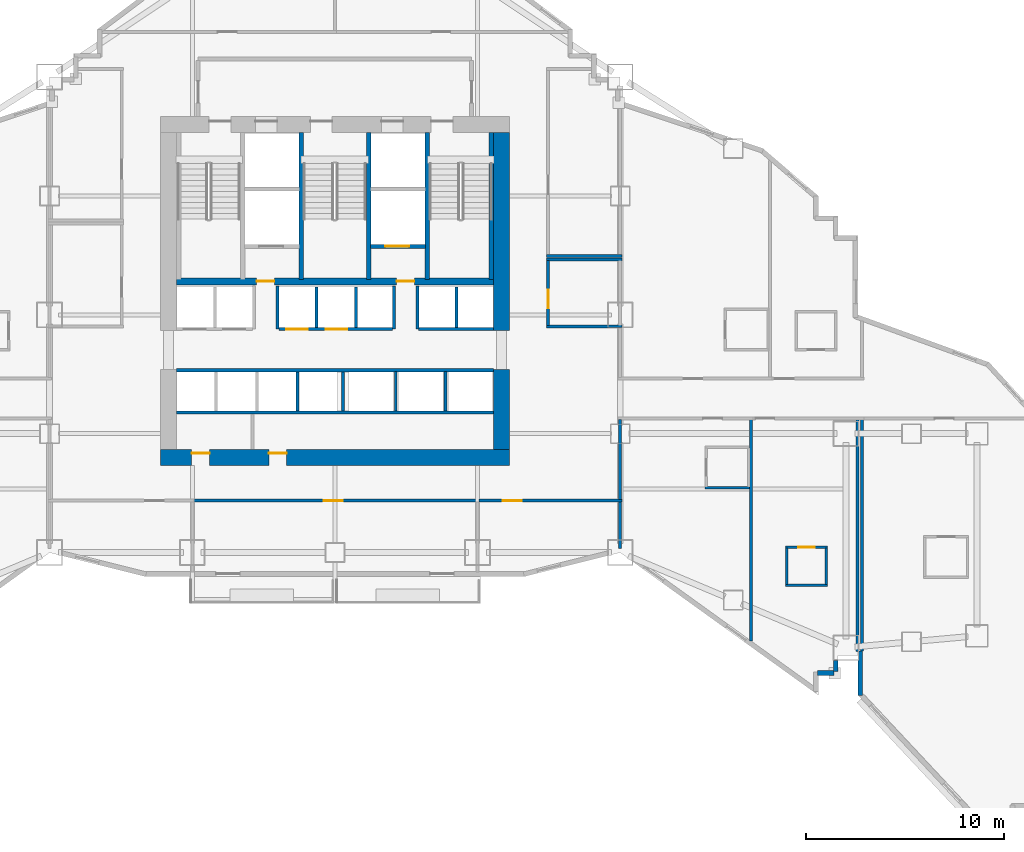
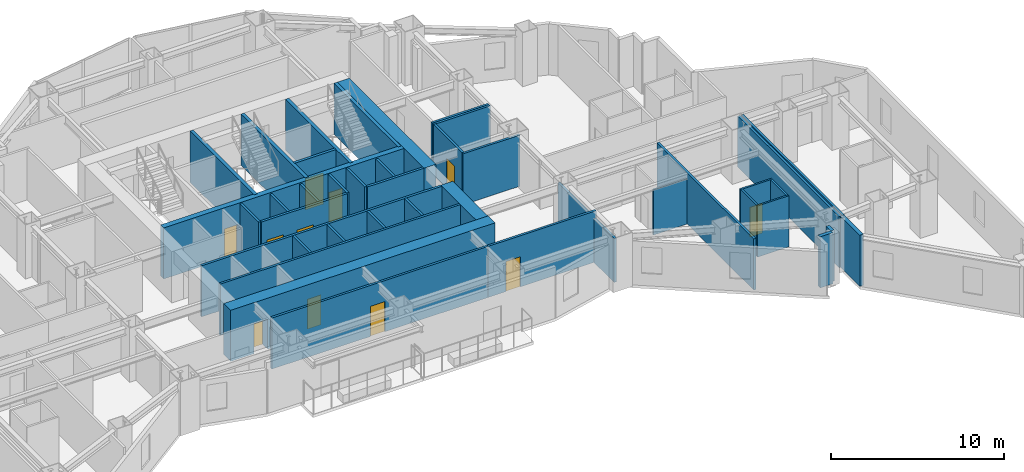
# One storey, part 9 of 17: 42 walls, 11 doors, 11 openings.
"""IFC4 building model written with IfcOpenShell, lengths in metres."""

from ifc_helpers import new_model, si_unit, direction, frame, frame_2d, origin, place, context, subcontext, project, spatial, rectangle, extrude, material, layer, layer_set, type_object, element, fill, save


model = new_model("IFC4")

# Units and contexts
model_context = context("Model", 3, precision=1e-05, world=origin(), true_north=direction((0.0, 1.0)))
body_context = subcontext(model_context, "Body", "Model", "MODEL_VIEW")
ifc_project = project(units=[si_unit("LENGTHUNIT", "METRE"), si_unit("AREAUNIT", "SQUARE_METRE"), si_unit("VOLUMEUNIT", "CUBIC_METRE"), si_unit("PLANEANGLEUNIT", "RADIAN"), si_unit("MASSUNIT", "GRAM", prefix="KILO")], contexts=[model_context])

# Site, building, storey
site_placement = place(None, origin())
site = spatial("IfcSite", under=ifc_project, at=site_placement, CompositionType="ELEMENT")
building_placement = place(site_placement, origin())
building = spatial("IfcBuilding", under=site, at=building_placement, Name="Haolan Belvedere Tower", CompositionType="ELEMENT")
storey_placement = place(building_placement, frame((0.0, 0.0, 27.800048828125)))
storey = spatial("IfcBuildingStorey", under=building, at=storey_placement, Name="L06", CompositionType="ELEMENT", Elevation=27.800048828125)

# Wall, openings, doors
ifc_material_1 = material(Name="Concrete C70/85", Category="concrete")
ifc_layer_1 = layer(ifc_material_1, 0.800048828125, Name="Concrete C70/85")
ifc_layer_set_1 = layer_set([ifc_layer_1], Name="Concrete C70/85")
wall_type_1 = type_object("IfcWallType", Name="WL-CORE-800", PredefinedType="SHEAR", material=ifc_layer_set_1)
wall_1_placement = place(storey_placement, frame((29.60009765625, 26.39990234375, 0.0), z_axis=(0.0, 0.0, 1.0), x_axis=(1.0, 0.0, 0.0)))
wall_1 = element("IfcWall", 1, at=wall_1_placement, inside=storey, type_object=wall_type_1, Name="L06 central core south shear wall", PredefinedType="SHEAR", context=body_context, shape_type="SweptSolid", body=[
    extrude(rectangle(XDim=17.599853515625, YDim=0.800048828125, at=frame_2d((8.7998046875, 0.0))), origin(), (0.0, 0.0, 1.0), 3.599853515625),
])
opening_1_placement = place(wall_1_placement, frame((2.469970703125, 0.0, 0.0), z_axis=(0.0, 0.0, 1.0), x_axis=(-1.0, 0.0, 0.0)))
opening_1 = element("IfcOpeningElement", 2, at=opening_1_placement, cuts=wall_1, Name="Opening FD-05", PredefinedType="OPENING", context=body_context, shape_type="SweptSolid", body=[
    extrude(rectangle(XDim=0.89990234375, YDim=2.10009765625, at=frame_2d((0.449951171875, 1.050048828125))), frame((0.0, 0.409912109375, 0.0), z_axis=(0.0, -1.0, 0.0), x_axis=(1.0, 0.0, 0.0)), (0.0, 0.0, 1.0), 0.820068359375),
])
opening_2_placement = place(wall_1_placement, frame((6.35986328125, 0.0, 0.0), z_axis=(0.0, 0.0, 1.0), x_axis=(-1.0, 0.0, 0.0)))
opening_2 = element("IfcOpeningElement", 3, at=opening_2_placement, cuts=wall_1, Name="Opening FD-05", PredefinedType="OPENING", context=body_context, shape_type="SweptSolid", body=[
    extrude(rectangle(XDim=0.89990234375, YDim=2.10009765625, at=frame_2d((0.449951171875, 1.050048828125))), frame((0.0, 0.409912109375, 0.0), z_axis=(0.0, -1.0, 0.0), x_axis=(1.0, 0.0, 0.0)), (0.0, 0.0, 1.0), 0.820068359375),
])
ifc_material_2 = material(Name="Galvanised fire-rated steel", Category="steel")
door_type_1 = type_object("IfcDoorType", Name="DR-FD60-900", OperationType="NOTDEFINED", PredefinedType="DOOR", material=ifc_material_2)
door_1_placement = place(opening_1_placement, origin())
door_1 = element("IfcDoor", 4, at=door_1_placement, inside=storey, type_object=door_type_1, Name="L06 door CD-L06-SCV-1", OperationType="SINGLE_SWING_LEFT", OverallHeight=2.10009765625, OverallWidth=0.89990234375, PredefinedType="DOOR", context=body_context, shape_type="SweptSolid", body=[
    extrude(rectangle(XDim=0.89990234375, YDim=2.10009765625, at=frame_2d((0.449951171875, 1.050048828125))), frame((0.0, -0.19482421875, 0.0), z_axis=(0.0, -1.0, 0.0), x_axis=(1.0, 0.0, 0.0)), (0.0, 0.0, 1.0), 0.050048828125),
])
fill(opening_1, door_1)
door_2_placement = place(opening_2_placement, origin())
door_2 = element("IfcDoor", 5, at=door_2_placement, inside=storey, type_object=door_type_1, Name="L06 door CD-L06-SCV-2", OperationType="SINGLE_SWING_RIGHT", OverallHeight=2.10009765625, OverallWidth=0.89990234375, PredefinedType="DOOR", context=body_context, shape_type="SweptSolid", body=[
    extrude(rectangle(XDim=0.89990234375, YDim=2.10009765625, at=frame_2d((0.449951171875, 1.050048828125))), frame((0.0, -0.19482421875, 0.0), z_axis=(0.0, -1.0, 0.0), x_axis=(1.0, 0.0, 0.0)), (0.0, 0.0, 1.0), 0.050048828125),
])
fill(opening_2, door_2)

# Walls
wall_2_placement = place(storey_placement, frame((46.800048828125, 26.800048828125, 0.0), z_axis=(0.0, 0.0, 1.0), x_axis=(0.0, 1.0, 0.0)))
element("IfcWall", 6, at=wall_2_placement, inside=storey, type_object=wall_type_1, Name="L06 central core shear wall ES", PredefinedType="SHEAR", context=body_context, shape_type="SweptSolid", body=[
    extrude(rectangle(XDim=4.050048828125, YDim=0.800048828125, at=frame_2d((2.02490234375, 0.0))), origin(), (0.0, 0.0, 1.0), 3.599853515625),
])
wall_3_placement = place(storey_placement, frame((46.800048828125, 32.800048828125, 0.0), z_axis=(0.0, 0.0, 1.0), x_axis=(0.0, 1.0, 0.0)))
element("IfcWall", 7, at=wall_3_placement, inside=storey, type_object=wall_type_1, Name="L06 central core shear wall EN", PredefinedType="SHEAR", context=body_context, shape_type="SweptSolid", body=[
    extrude(rectangle(XDim=10.0, YDim=0.800048828125, at=frame_2d((5.0, 0.0))), origin(), (0.0, 0.0, 1.0), 3.599853515625),
])
ifc_material_3 = material(Name="Precast concrete C40/50", Category="concrete")
ifc_layer_2 = layer(ifc_material_3, 0.239990234375, Name="Precast concrete C40/50")
ifc_layer_set_2 = layer_set([ifc_layer_2], Name="Precast concrete C40/50")
wall_type_2 = type_object("IfcWallType", Name="WL-EXT-240", PredefinedType="SOLIDWALL", material=ifc_layer_set_2)
wall_4_placement = place(storey_placement, frame((62.7451171875, 15.52001953125, 0.0), z_axis=(0.0, 0.0, 1.0), x_axis=(1.0, 0.0, 0.0)))
element("IfcWall", 8, at=wall_4_placement, inside=storey, type_object=wall_type_2, Name="L06 pale-metal exterior spandrel wall 17.1", PredefinedType="SOLIDWALL", context=body_context, shape_type="SweptSolid", body=[
    extrude(rectangle(XDim=0.849853515625, YDim=0.239990234375, at=frame_2d((0.4248046875, 0.0))), origin(), (0.0, 0.0, 1.0), 3.599853515625),
])
wall_5_placement = place(storey_placement, frame((63.679931640625, 15.60498046875, 0.0), z_axis=(0.0, 0.0, 1.0), x_axis=(0.0, 1.0, 0.0)))
element("IfcWall", 9, at=wall_5_placement, inside=storey, type_object=wall_type_2, Name="L06 pale-metal exterior spandrel wall 18.1", PredefinedType="SOLIDWALL", context=body_context, shape_type="SweptSolid", body=[
    extrude(rectangle(XDim=0.552978515625, YDim=0.239990234375, at=frame_2d((0.2763671875, 0.0))), origin(), (0.0, 0.0, 1.0), 3.599853515625),
])
wall_6_placement = place(storey_placement, frame((64.919921875, 16.639892578125, 0.0), z_axis=(0.0, 0.0, 1.0), x_axis=(0.0, -1.0, 0.0)))
element("IfcWall", 10, at=wall_6_placement, inside=storey, type_object=wall_type_2, Name="L06 pale-metal exterior spandrel wall 20.1", PredefinedType="SOLIDWALL", context=body_context, shape_type="SweptSolid", body=[
    extrude(rectangle(XDim=2.24755859375, YDim=0.239990234375, at=frame_2d((1.123779296875, 0.0))), origin(), (0.0, 0.0, 1.0), 3.599853515625),
])
ifc_material_4 = material(Name="Double gypsum acoustic stud partition", Category="masonry")
ifc_layer_3 = layer(ifc_material_4, 0.14990234375, Name="Double gypsum acoustic stud partition")
ifc_layer_set_3 = layer_set([ifc_layer_3], Name="Double gypsum acoustic stud partition")
wall_type_3 = type_object("IfcWallType", Name="WL-PART-150", PredefinedType="PARTITIONING", material=ifc_layer_set_3)
wall_7_placement = place(storey_placement, frame((30.39990234375, 28.659912109375, 0.0), z_axis=(0.0, 0.0, 1.0), x_axis=(1.0, 0.0, 0.0)))
element("IfcWall", 11, at=wall_7_placement, inside=storey, type_object=wall_type_3, Name="L06 interior partition IW-L06-SSTRIP-N", PredefinedType="PARTITIONING", context=body_context, shape_type="SweptSolid", body=[
    extrude(rectangle(XDim=16.0, YDim=0.14990234375, at=frame_2d((8.0, 0.0))), origin(), (0.0, 0.0, 1.0), 3.599853515625),
])
for number, where, z_axis, x_axis, name in (
    (12, (49.080078125, 36.39990234375, 0.0), (0.0, 0.0, 1.0), (1.0, 0.0, 0.0), "L06 interior partition IW-L06-AWC-N"),
    (13, (49.080078125, 33.0, 0.0), (0.0, 0.0, 1.0), (1.0, 0.0, 0.0), "L06 interior partition IW-L06-AWC-S"),
):
    element("IfcWall", number, at=place(storey_placement, frame(where, z_axis=z_axis, x_axis=x_axis)), inside=storey, type_object=wall_type_3, Name=name, PredefinedType="PARTITIONING", context=body_context, shape_type="SweptSolid", body=[
        extrude(rectangle(XDim=3.7998046875, YDim=0.14990234375, at=frame_2d((1.89990234375, 0.0))), origin(), (0.0, 0.0, 1.0), 3.599853515625),
    ])

# Wall, opening, door
wall_8_placement = place(storey_placement, frame((49.159912109375, 33.06005859375, 0.0), z_axis=(0.0, 0.0, 1.0), x_axis=(0.0, 1.0, 0.0)))
wall_8 = element("IfcWall", 14, at=wall_8_placement, inside=storey, type_object=wall_type_3, Name="L06 interior partition IW-L06-AWC-W", PredefinedType="PARTITIONING", context=body_context, shape_type="SweptSolid", body=[
    extrude(rectangle(XDim=3.280029296875, YDim=0.14990234375, at=frame_2d((1.64013671875, 0.0))), origin(), (0.0, 0.0, 1.0), 3.599853515625),
])
opening_3_placement = place(wall_8_placement, frame((0.860107421875, 0.0, 0.0)))
opening_3 = element("IfcOpeningElement", 15, at=opening_3_placement, cuts=wall_8, Name="Opening ID-03", PredefinedType="OPENING", context=body_context, shape_type="SweptSolid", body=[
    extrude(rectangle(XDim=0.949951171875, YDim=2.1201171875, at=frame_2d((0.47509765625, 1.06005859375))), frame((0.0, 0.0849609375, 0.0), z_axis=(0.0, -1.0, 0.0), x_axis=(1.0, 0.0, 0.0)), (0.0, 0.0, 1.0), 0.169921875),
])
ifc_material_5 = material(Name="Painted solid-core timber", Category="wood")
door_type_2 = type_object("IfcDoorType", Name="DR-INT-950", OperationType="NOTDEFINED", PredefinedType="DOOR", material=ifc_material_5)
door_3_placement = place(opening_3_placement, origin())
door_3 = element("IfcDoor", 16, at=door_3_placement, inside=storey, type_object=door_type_2, Name="L06 door ID-L06-AWC", OperationType="SINGLE_SWING_RIGHT", OverallHeight=2.1201171875, OverallWidth=0.949951171875, PredefinedType="DOOR", context=body_context, shape_type="SweptSolid", body=[
    extrude(rectangle(XDim=0.949951171875, YDim=2.1201171875, at=frame_2d((0.47509765625, 1.06005859375))), frame((0.0, 0.02490234375, 0.0), z_axis=(0.0, -1.0, 0.0), x_axis=(1.0, 0.0, 0.0)), (0.0, 0.0, 1.0), 0.050048828125),
])
fill(opening_3, door_3)

# Wall
wall_9_placement = place(storey_placement, frame((49.080078125, 36.56005859375, 0.0), z_axis=(0.0, 0.0, 1.0), x_axis=(1.0, 0.0, 0.0)))
element("IfcWall", 17, at=wall_9_placement, inside=storey, type_object=wall_type_3, Name="L06 interior partition IW-L06-SAL-S", PredefinedType="PARTITIONING", context=body_context, shape_type="SweptSolid", body=[
    extrude(rectangle(XDim=3.7998046875, YDim=0.14990234375, at=frame_2d((1.89990234375, 0.0))), origin(), (0.0, 0.0, 1.0), 3.599853515625),
])

# Wall, opening, door
wall_10_placement = place(storey_placement, frame((31.281982421875, 24.219970703125, 0.0), z_axis=(0.0, 0.0, 1.0), x_axis=(1.0, 0.0, 0.0)))
wall_10 = element("IfcWall", 18, at=wall_10_placement, inside=storey, type_object=wall_type_3, Name="L06 interior partition IW-L06-KS2-N", PredefinedType="PARTITIONING", context=body_context, shape_type="SweptSolid", body=[
    extrude(rectangle(XDim=14.39794921875, YDim=0.14990234375, at=frame_2d((7.198974609375, 0.0))), origin(), (0.0, 0.0, 1.0), 3.599853515625),
])
opening_4_placement = place(wall_10_placement, frame((7.512939453125, 0.0, 0.0), z_axis=(0.0, 0.0, 1.0), x_axis=(-1.0, 0.0, 0.0)))
opening_4 = element("IfcOpeningElement", 19, at=opening_4_placement, cuts=wall_10, Name="Opening ID-03", PredefinedType="OPENING", context=body_context, shape_type="SweptSolid", body=[
    extrude(rectangle(XDim=0.949951171875, YDim=2.1201171875, at=frame_2d((0.47509765625, 1.06005859375))), frame((0.0, 0.0849609375, 0.0), z_axis=(0.0, -1.0, 0.0), x_axis=(1.0, 0.0, 0.0)), (0.0, 0.0, 1.0), 0.169921875),
])
door_4_placement = place(opening_4_placement, origin())
door_4 = element("IfcDoor", 20, at=door_4_placement, inside=storey, type_object=door_type_2, Name="L06 door ID-L06-KS2", OperationType="SINGLE_SWING_LEFT", OverallHeight=2.1201171875, OverallWidth=0.949951171875, PredefinedType="DOOR", context=body_context, shape_type="SweptSolid", body=[
    extrude(rectangle(XDim=0.949951171875, YDim=2.1201171875, at=frame_2d((0.47509765625, 1.06005859375))), frame((0.0, 0.02490234375, 0.0), z_axis=(0.0, -1.0, 0.0), x_axis=(1.0, 0.0, 0.0)), (0.0, 0.0, 1.0), 0.050048828125),
])
fill(opening_4, door_4)

wall_11_placement = place(storey_placement, frame((45.681884765625, 24.219970703125, 0.0), z_axis=(0.0, 0.0, 1.0), x_axis=(1.0, 0.0, 0.0)))
wall_11 = element("IfcWall", 21, at=wall_11_placement, inside=storey, type_object=wall_type_3, Name="L06 interior partition IW-L06-KS3-N", PredefinedType="PARTITIONING", context=body_context, shape_type="SweptSolid", body=[
    extrude(rectangle(XDim=7.197998046875, YDim=0.14990234375, at=frame_2d((3.59912109375, 0.0))), origin(), (0.0, 0.0, 1.0), 3.599853515625),
])
opening_5_placement = place(wall_11_placement, frame((2.14306640625, 0.0, 0.0), z_axis=(0.0, 0.0, 1.0), x_axis=(-1.0, 0.0, 0.0)))
opening_5 = element("IfcOpeningElement", 22, at=opening_5_placement, cuts=wall_11, Name="Opening ID-03", PredefinedType="OPENING", context=body_context, shape_type="SweptSolid", body=[
    extrude(rectangle(XDim=0.949951171875, YDim=2.1201171875, at=frame_2d((0.47509765625, 1.06005859375))), frame((0.0, 0.0849609375, 0.0), z_axis=(0.0, -1.0, 0.0), x_axis=(1.0, 0.0, 0.0)), (0.0, 0.0, 1.0), 0.169921875),
])
door_5_placement = place(opening_5_placement, origin())
door_5 = element("IfcDoor", 23, at=door_5_placement, inside=storey, type_object=door_type_2, Name="L06 door ID-L06-KS3", OperationType="SINGLE_SWING_RIGHT", OverallHeight=2.1201171875, OverallWidth=0.949951171875, PredefinedType="DOOR", context=body_context, shape_type="SweptSolid", body=[
    extrude(rectangle(XDim=0.949951171875, YDim=2.1201171875, at=frame_2d((0.47509765625, 1.06005859375))), frame((0.0, 0.02490234375, 0.0), z_axis=(0.0, -1.0, 0.0), x_axis=(1.0, 0.0, 0.0)), (0.0, 0.0, 1.0), 0.050048828125),
])
fill(opening_5, door_5)

# Walls
wall_12_placement = place(storey_placement, frame((52.800048828125, 21.818603515625, 0.0), z_axis=(0.0, 0.0, 1.0), x_axis=(0.0, 1.0, 0.0)))
element("IfcWall", 24, at=wall_12_placement, inside=storey, type_object=wall_type_3, Name="L06 interior partition IW-L06-KS3-E", PredefinedType="PARTITIONING", context=body_context, shape_type="SweptSolid", body=[
    extrude(rectangle(XDim=2.34130859375, YDim=0.14990234375, at=frame_2d((1.170654296875, 0.0))), origin(), (0.0, 0.0, 1.0), 3.096923828125),
])
wall_13_placement = place(storey_placement, frame((52.800048828125, 24.280029296875, 0.0), z_axis=(0.0, 0.0, 1.0), x_axis=(0.0, 1.0, 0.0)))
element("IfcWall", 25, at=wall_13_placement, inside=storey, type_object=wall_type_3, Name="L06 interior partition IW-L06-T4S1-W", PredefinedType="PARTITIONING", context=body_context, shape_type="SweptSolid", body=[
    extrude(rectangle(XDim=4.030029296875, YDim=0.14990234375, at=frame_2d((2.01513671875, 0.0))), origin(), (0.0, 0.0, 1.0), 3.096923828125),
])
wall_14_placement = place(storey_placement, frame((59.389892578125, 17.132568359375, 0.0), z_axis=(0.0, 0.0, 1.0), x_axis=(0.0, 1.0, 0.0)))
element("IfcWall", 26, at=wall_14_placement, inside=storey, type_object=wall_type_3, Name="L06 interior partition IW-L06-T4S1-E", PredefinedType="PARTITIONING", context=body_context, shape_type="SweptSolid", body=[
    extrude(rectangle(XDim=11.177490234375, YDim=0.14990234375, at=frame_2d((5.5888671875, 0.0))), origin(), (0.0, 0.0, 1.0), 3.599853515625),
])
wall_15_placement = place(storey_placement, frame((65.0, 16.64208984375, 0.0), z_axis=(0.0, 0.0, 1.0), x_axis=(0.0, 1.0, 0.0)))
element("IfcWall", 27, at=wall_15_placement, inside=storey, type_object=wall_type_3, Name="L06 interior partition IW-L06-T4S2-E", PredefinedType="PARTITIONING", context=body_context, shape_type="SweptSolid", body=[
    extrude(rectangle(XDim=11.66796875, YDim=0.14990234375, at=frame_2d((5.833984375, 0.0))), origin(), (0.0, 0.0, 1.0), 3.599853515625),
])
wall_16_placement = place(storey_placement, frame((64.780029296875, 16.612060546875, 0.0), z_axis=(0.0, 0.0, 1.0), x_axis=(0.0, 1.0, 0.0)))
element("IfcWall", 28, at=wall_16_placement, inside=storey, type_object=wall_type_3, Name="L06 interior partition IW-L06-T5S1-W", PredefinedType="PARTITIONING", context=body_context, shape_type="SweptSolid", body=[
    extrude(rectangle(XDim=11.697998046875, YDim=0.14990234375, at=frame_2d((5.84912109375, 0.0))), origin(), (0.0, 0.0, 1.0), 3.599853515625),
])
ifc_material_6 = material(Name="Gypsum fire shaftwall assembly", Category="masonry")
ifc_layer_4 = layer(ifc_material_6, 0.1650390625, Name="Gypsum fire shaftwall assembly")
ifc_layer_set_4 = layer_set([ifc_layer_4], Name="Gypsum fire shaftwall assembly")
wall_type_4 = type_object("IfcWallType", Name="WL-SHAFT-160", PredefinedType="SOLIDWALL", material=ifc_layer_set_4)
for number, where, z_axis, x_axis, name in (
    (29, (35.510009765625, 32.8798828125, 0.0), (0.0, 0.0, 1.0), (0.0, 1.0, 0.0), "L06 interior partition IW-L06-SVP-E-SV1"),
    (30, (41.3701171875, 32.8798828125, 0.0), (0.0, 0.0, 1.0), (0.0, 1.0, 0.0), "L06 interior partition IW-L06-SVP-W-SV2"),
    (31, (42.570068359375, 32.8798828125, 0.0), (0.0, 0.0, 1.0), (0.0, 1.0, 0.0), "L06 interior partition IW-L06-SVP-E-SV2"),
):
    element("IfcWall", number, at=place(storey_placement, frame(where, z_axis=z_axis, x_axis=x_axis)), inside=storey, type_object=wall_type_4, Name=name, PredefinedType="SOLIDWALL", context=body_context, shape_type="SweptSolid", body=[
        extrude(rectangle(XDim=2.170166015625, YDim=0.14990234375, at=frame_2d((1.0849609375, 0.0))), origin(), (0.0, 0.0, 1.0), 3.599853515625),
    ])

# Wall, openings, doors
wall_17_placement = place(storey_placement, frame((35.570068359375, 32.8798828125, 0.0), z_axis=(0.0, 0.0, 1.0), x_axis=(1.0, 0.0, 0.0)))
wall_17 = element("IfcWall", 32, at=wall_17_placement, inside=storey, type_object=wall_type_4, Name="L06 interior partition IW-L06-ROW-PN2", PredefinedType="SOLIDWALL", context=body_context, shape_type="SweptSolid", body=[
    extrude(rectangle(XDim=5.739990234375, YDim=0.159912109375, at=frame_2d((2.8701171875, 0.0))), origin(), (0.0, 0.0, 1.0), 3.599853515625),
])
opening_6_placement = place(wall_17_placement, frame((1.47021484375, 0.0, 0.0), z_axis=(0.0, 0.0, 1.0), x_axis=(-1.0, 0.0, 0.0)))
opening_6 = element("IfcOpeningElement", 33, at=opening_6_placement, cuts=wall_17, Name="Opening LD-01", PredefinedType="OPENING", context=body_context, shape_type="SweptSolid", body=[
    extrude(rectangle(XDim=1.10009765625, YDim=2.199951171875, at=frame_2d((0.550048828125, 1.10009765625))), frame((0.0, 0.08984375, 0.0), z_axis=(0.0, -1.0, 0.0), x_axis=(1.0, 0.0, 0.0)), (0.0, 0.0, 1.0), 0.179931640625),
])
opening_7_placement = place(wall_17_placement, frame((3.460205078125, 0.0, 0.0), z_axis=(0.0, 0.0, 1.0), x_axis=(-1.0, 0.0, 0.0)))
opening_7 = element("IfcOpeningElement", 34, at=opening_7_placement, cuts=wall_17, Name="Opening LD-01", PredefinedType="OPENING", context=body_context, shape_type="SweptSolid", body=[
    extrude(rectangle(XDim=1.10009765625, YDim=2.199951171875, at=frame_2d((0.550048828125, 1.10009765625))), frame((0.0, 0.08984375, 0.0), z_axis=(0.0, -1.0, 0.0), x_axis=(1.0, 0.0, 0.0)), (0.0, 0.0, 1.0), 0.179931640625),
])
ifc_material_7 = material(Name="Brushed champagne stainless steel 316L", Category="steel")
door_type_3 = type_object("IfcDoorType", Name="DR-LIFT-1100", OperationType="SLIDING_TO_LEFT", PredefinedType="DOOR", material=ifc_material_7)
door_6_placement = place(opening_6_placement, origin())
door_6 = element("IfcDoor", 35, at=door_6_placement, inside=storey, type_object=door_type_3, Name="L06 door ID-L06-LD-PL3", OperationType="SLIDING_TO_LEFT", OverallHeight=2.199951171875, OverallWidth=1.10009765625, PredefinedType="DOOR", context=body_context, shape_type="SweptSolid", body=[
    extrude(rectangle(XDim=1.10009765625, YDim=2.199951171875, at=frame_2d((0.550048828125, 1.10009765625))), frame((0.0, 0.02490234375, 0.0), z_axis=(0.0, -1.0, 0.0), x_axis=(1.0, 0.0, 0.0)), (0.0, 0.0, 1.0), 0.050048828125),
])
fill(opening_6, door_6)
door_7_placement = place(opening_7_placement, origin())
door_7 = element("IfcDoor", 36, at=door_7_placement, inside=storey, type_object=door_type_3, Name="L06 door ID-L06-LD-PL4", OperationType="SLIDING_TO_LEFT", OverallHeight=2.199951171875, OverallWidth=1.10009765625, PredefinedType="DOOR", context=body_context, shape_type="SweptSolid", body=[
    extrude(rectangle(XDim=1.10009765625, YDim=2.199951171875, at=frame_2d((0.550048828125, 1.10009765625))), frame((0.0, 0.02490234375, 0.0), z_axis=(0.0, -1.0, 0.0), x_axis=(1.0, 0.0, 0.0)), (0.0, 0.0, 1.0), 0.050048828125),
])
fill(opening_7, door_7)

# Walls
wall_18_placement = place(storey_placement, frame((42.6298828125, 32.8798828125, 0.0), z_axis=(0.0, 0.0, 1.0), x_axis=(1.0, 0.0, 0.0)))
element("IfcWall", 37, at=wall_18_placement, inside=storey, type_object=wall_type_4, Name="L06 interior partition IW-L06-ROW-PN3", PredefinedType="SOLIDWALL", context=body_context, shape_type="SweptSolid", body=[
    extrude(rectangle(XDim=3.77001953125, YDim=0.159912109375, at=frame_2d((1.885009765625, 0.0))), origin(), (0.0, 0.0, 1.0), 3.599853515625),
])
for number, where, z_axis, x_axis, name in (
    (38, (37.47998046875, 32.949951171875, 0.0), (0.0, 0.0, 1.0), (0.0, 1.0, 0.0), "L06 interior partition IW-L06-DIV-PL3"),
    (39, (39.469970703125, 32.949951171875, 0.0), (0.0, 0.0, 1.0), (0.0, 1.0, 0.0), "L06 interior partition IW-L06-DIV-PL4"),
    (40, (44.530029296875, 32.949951171875, 0.0), (0.0, 0.0, 1.0), (0.0, 1.0, 0.0), "L06 interior partition IW-L06-DIV-PH2"),
):
    element("IfcWall", number, at=place(storey_placement, frame(where, z_axis=z_axis, x_axis=x_axis)), inside=storey, type_object=wall_type_4, Name=name, PredefinedType="SOLIDWALL", context=body_context, shape_type="SweptSolid", body=[
        extrude(rectangle(XDim=2.050048828125, YDim=0.14990234375, at=frame_2d((1.02490234375, 0.0))), origin(), (0.0, 0.0, 1.0), 3.599853515625),
    ])
wall_19_placement = place(storey_placement, frame((30.39990234375, 30.800048828125, 0.0), z_axis=(0.0, 0.0, 1.0), x_axis=(1.0, 0.0, 0.0)))
element("IfcWall", 41, at=wall_19_placement, inside=storey, type_object=wall_type_4, Name="L06 interior partition IW-L06-ROW-PS", PredefinedType="SOLIDWALL", context=body_context, shape_type="SweptSolid", body=[
    extrude(rectangle(XDim=16.0, YDim=0.159912109375, at=frame_2d((8.0, 0.0))), origin(), (0.0, 0.0, 1.0), 3.599853515625),
])
for number, where, z_axis, x_axis, name in (
    (42, (36.52001953125, 28.735107421875, 0.0), (0.0, 0.0, 1.0), (0.0, 1.0, 0.0), "L06 interior partition IW-L06-DIV-PM3"),
    (43, (38.800048828125, 28.735107421875, 0.0), (0.0, 0.0, 1.0), (0.0, 1.0, 0.0), "L06 interior partition IW-L06-DIV-PM4"),
):
    element("IfcWall", number, at=place(storey_placement, frame(where, z_axis=z_axis, x_axis=x_axis)), inside=storey, type_object=wall_type_4, Name=name, PredefinedType="SOLIDWALL", context=body_context, shape_type="SweptSolid", body=[
        extrude(rectangle(XDim=1.98486328125, YDim=0.14990234375, at=frame_2d((0.992431640625, 0.0))), origin(), (0.0, 0.0, 1.0), 3.599853515625),
    ])
for number, where, z_axis, x_axis, name in (
    (44, (41.469970703125, 28.75, 0.0), (0.0, 0.0, 1.0), (0.0, 1.0, 0.0), "L06 interior partition IW-L06-DIV-OB1"),
    (45, (43.97998046875, 28.75, 0.0), (0.0, 0.0, 1.0), (0.0, 1.0, 0.0), "L06 interior partition IW-L06-DIV-OB2"),
):
    element("IfcWall", number, at=place(storey_placement, frame(where, z_axis=z_axis, x_axis=x_axis)), inside=storey, type_object=wall_type_4, Name=name, PredefinedType="SOLIDWALL", context=body_context, shape_type="SweptSolid", body=[
        extrude(rectangle(XDim=1.985107421875, YDim=0.14990234375, at=frame_2d((0.99267578125, 0.0))), origin(), (0.0, 0.0, 1.0), 3.599853515625),
    ])

# Wall, opening, door
ifc_layer_5 = layer(ifc_material_3, 0.179931640625, Name="Precast concrete C40/50")
ifc_layer_set_5 = layer_set([ifc_layer_5], Name="Precast concrete C40/50")
wall_type_5 = type_object("IfcWallType", Name="WL-SHAFT-180", PredefinedType="SOLIDWALL", material=ifc_layer_set_5)
wall_20_placement = place(storey_placement, frame((40.195068359375, 37.050048828125, 0.0), z_axis=(0.0, 0.0, 1.0), x_axis=(1.0, 0.0, 0.0)))
wall_20 = element("IfcWall", 46, at=wall_20_placement, inside=storey, type_object=wall_type_5, Name="L06 interior partition IW-L06-SV2-S", PredefinedType="SOLIDWALL", context=body_context, shape_type="SweptSolid", body=[
    extrude(rectangle(XDim=2.77001953125, YDim=0.179931640625, at=frame_2d((1.385009765625, 0.0))), origin(), (0.0, 0.0, 1.0), 3.599853515625),
])
opening_8_placement = place(wall_20_placement, frame((1.945068359375, 0.0, 0.0), z_axis=(0.0, 0.0, 1.0), x_axis=(-1.0, 0.0, 0.0)))
opening_8 = element("IfcOpeningElement", 47, at=opening_8_placement, cuts=wall_20, Name="Opening LD-02", PredefinedType="OPENING", context=body_context, shape_type="SweptSolid", body=[
    extrude(rectangle(XDim=1.199951171875, YDim=2.199951171875, at=frame_2d((0.60009765625, 1.10009765625))), frame((0.0, 0.099853515625, 0.0), z_axis=(0.0, -1.0, 0.0), x_axis=(1.0, 0.0, 0.0)), (0.0, 0.0, 1.0), 0.199951171875),
])
door_type_4 = type_object("IfcDoorType", Name="DR-LIFT-1200", OperationType="SLIDING_TO_RIGHT", PredefinedType="DOOR", material=ifc_material_7)
door_8_placement = place(opening_8_placement, origin())
door_8 = element("IfcDoor", 48, at=door_8_placement, inside=storey, type_object=door_type_4, Name="L06 door ID-L06-LD-SV2", OperationType="SLIDING_TO_RIGHT", OverallHeight=2.199951171875, OverallWidth=1.199951171875, PredefinedType="DOOR", context=body_context, shape_type="SweptSolid", body=[
    extrude(rectangle(XDim=1.199951171875, YDim=2.199951171875, at=frame_2d((0.60009765625, 1.10009765625))), frame((0.0, 0.02490234375, 0.0), z_axis=(0.0, -1.0, 0.0), x_axis=(1.0, 0.0, 0.0)), (0.0, 0.0, 1.0), 0.050048828125),
])
fill(opening_8, door_8)

# Walls
ifc_material_8 = material(Name="Concrete C50/60", Category="concrete")
ifc_layer_6 = layer(ifc_material_8, 0.219970703125, Name="Concrete C50/60")
ifc_layer_set_6 = layer_set([ifc_layer_6], Name="Concrete C50/60")
wall_type_6 = type_object("IfcWallType", Name="WL-STAIR-220", PredefinedType="SHEAR", material=ifc_layer_set_6)
for number, where, z_axis, x_axis, name in (
    (49, (36.699951171875, 35.389892578125, 0.0), (0.0, 0.0, 1.0), (0.0, 1.0, 0.0), "L06 structural stair core wall ST3W"),
    (50, (40.10009765625, 35.389892578125, 0.0), (0.0, 0.0, 1.0), (0.0, 1.0, 0.0), "L06 structural stair core wall ST3E"),
    (51, (43.06005859375, 35.389892578125, 0.0), (0.0, 0.0, 1.0), (0.0, 1.0, 0.0), "L06 structural stair core wall ST2W"),
    (52, (46.2880859375, 35.389892578125, 0.0), (0.0, 0.0, 1.0), (0.0, 1.0, 0.0), "L06 structural stair core wall ST2E"),
):
    element("IfcWall", number, at=place(storey_placement, frame(where, z_axis=z_axis, x_axis=x_axis)), inside=storey, type_object=wall_type_6, Name=name, PredefinedType="SHEAR", context=body_context, shape_type="SweptSolid", body=[
        extrude(rectangle(XDim=7.41015625, YDim=0.219970703125, at=frame_2d((3.705078125, 0.0))), origin(), (0.0, 0.0, 1.0), 3.599853515625),
    ])

# Wall, openings, doors
ifc_material_9 = material(Name="Concrete C60/75", Category="concrete")
ifc_layer_7 = layer(ifc_material_9, 0.360107421875, Name="Concrete C60/75")
ifc_layer_set_7 = layer_set([ifc_layer_7], Name="Concrete C60/75")
wall_type_7 = type_object("IfcWallType", Name="WL-WEB-350", PredefinedType="SHEAR", material=ifc_layer_set_7)
wall_21_placement = place(storey_placement, frame((30.39990234375, 35.2900390625, 0.0), z_axis=(0.0, 0.0, 1.0), x_axis=(1.0, 0.0, 0.0)))
wall_21 = element("IfcWall", 53, at=wall_21_placement, inside=storey, type_object=wall_type_7, Name="L06 central core internal shear web", PredefinedType="SHEAR", context=body_context, shape_type="SweptSolid", body=[
    extrude(rectangle(XDim=16.0, YDim=0.360107421875, at=frame_2d((8.0, 0.0))), origin(), (0.0, 0.0, 1.0), 3.599853515625),
])
opening_9_placement = place(wall_21_placement, frame((4.949951171875, 0.0, 0.0), z_axis=(0.0, 0.0, 1.0), x_axis=(-1.0, 0.0, 0.0)))
opening_9 = element("IfcOpeningElement", 54, at=opening_9_placement, cuts=wall_21, Name="Opening FD-05", PredefinedType="OPENING", context=body_context, shape_type="SweptSolid", body=[
    extrude(rectangle(XDim=0.89990234375, YDim=2.10009765625, at=frame_2d((0.449951171875, 1.050048828125))), frame((0.0, 0.18994140625, 0.0), z_axis=(0.0, -1.0, 0.0), x_axis=(1.0, 0.0, 0.0)), (0.0, 0.0, 1.0), 0.380126953125),
])
opening_10_placement = place(wall_21_placement, frame((12.010009765625, 0.0, 0.0), z_axis=(0.0, 0.0, 1.0), x_axis=(-1.0, 0.0, 0.0)))
opening_10 = element("IfcOpeningElement", 55, at=opening_10_placement, cuts=wall_21, Name="Opening FD-05", PredefinedType="OPENING", context=body_context, shape_type="SweptSolid", body=[
    extrude(rectangle(XDim=0.89990234375, YDim=2.10009765625, at=frame_2d((0.449951171875, 1.050048828125))), frame((0.0, 0.18994140625, 0.0), z_axis=(0.0, -1.0, 0.0), x_axis=(1.0, 0.0, 0.0)), (0.0, 0.0, 1.0), 0.380126953125),
])
door_9_placement = place(opening_9_placement, origin())
door_9 = element("IfcDoor", 56, at=door_9_placement, inside=storey, type_object=door_type_1, Name="L06 door CD-L06-SVL-SV1", OperationType="SINGLE_SWING_RIGHT", OverallHeight=2.10009765625, OverallWidth=0.89990234375, PredefinedType="DOOR", context=body_context, shape_type="SweptSolid", body=[
    extrude(rectangle(XDim=0.89990234375, YDim=2.10009765625, at=frame_2d((0.449951171875, 1.050048828125))), frame((0.0, 0.02490234375, 0.0), z_axis=(0.0, -1.0, 0.0), x_axis=(1.0, 0.0, 0.0)), (0.0, 0.0, 1.0), 0.050048828125),
])
fill(opening_9, door_9)
door_10_placement = place(opening_10_placement, origin())
door_10 = element("IfcDoor", 57, at=door_10_placement, inside=storey, type_object=door_type_1, Name="L06 door CD-L06-SVL-SV2", OperationType="SINGLE_SWING_RIGHT", OverallHeight=2.10009765625, OverallWidth=0.89990234375, PredefinedType="DOOR", context=body_context, shape_type="SweptSolid", body=[
    extrude(rectangle(XDim=0.89990234375, YDim=2.10009765625, at=frame_2d((0.449951171875, 1.050048828125))), frame((0.0, 0.02490234375, 0.0), z_axis=(0.0, -1.0, 0.0), x_axis=(1.0, 0.0, 0.0)), (0.0, 0.0, 1.0), 0.050048828125),
])
fill(opening_10, door_10)

# Wall
ifc_material_10 = material(Name="Moisture-resistant gypsum tile partition", Category="masonry")
ifc_layer_8 = layer(ifc_material_10, 0.1201171875, Name="Moisture-resistant gypsum tile partition")
ifc_layer_set_8 = layer_set([ifc_layer_8], Name="Moisture-resistant gypsum tile partition")
wall_type_8 = type_object("IfcWallType", Name="WL-WET-120", PredefinedType="PARTITIONING", material=ifc_layer_set_8)
wall_22_placement = place(storey_placement, frame((57.080078125, 24.8701171875, 0.0), z_axis=(0.0, 0.0, 1.0), x_axis=(1.0, 0.0, 0.0)))
element("IfcWall", 58, at=wall_22_placement, inside=storey, type_object=wall_type_8, Name="L06 interior partition IW-L06-T4S1-BS", PredefinedType="PARTITIONING", context=body_context, shape_type="SweptSolid", body=[
    extrude(rectangle(XDim=2.25, YDim=0.1201171875, at=frame_2d((1.125, 0.0))), origin(), (0.0, 0.0, 1.0), 3.18505859375),
])

# Wall, opening, door
wall_23_placement = place(storey_placement, frame((61.152099609375, 21.867919921875, 0.0), z_axis=(0.0, 0.0, 1.0), x_axis=(1.0, 0.0, 0.0)))
wall_23 = element("IfcWall", 59, at=wall_23_placement, inside=storey, type_object=wall_type_8, Name="L06 interior partition IW-L06-T4S2-BN", PredefinedType="PARTITIONING", context=body_context, shape_type="SweptSolid", body=[
    extrude(rectangle(XDim=2.099853515625, YDim=0.1201171875, at=frame_2d((1.0498046875, 0.0))), origin(), (0.0, 0.0, 1.0), 3.599853515625),
])
opening_11_placement = place(wall_23_placement, frame((1.47509765625, 0.0, 0.0), z_axis=(0.0, 0.0, 1.0), x_axis=(-1.0, 0.0, 0.0)))
opening_11 = element("IfcOpeningElement", 60, at=opening_11_placement, cuts=wall_23, Name="Opening ID-05", PredefinedType="OPENING", context=body_context, shape_type="SweptSolid", body=[
    extrude(rectangle(XDim=0.85009765625, YDim=2.10009765625, at=frame_2d((0.425048828125, 1.050048828125))), frame((0.0, 0.070068359375, 0.0), z_axis=(0.0, -1.0, 0.0), x_axis=(1.0, 0.0, 0.0)), (0.0, 0.0, 1.0), 0.14013671875),
])
ifc_material_11 = material(Name="Moisture-resistant lacquered timber", Category="wood")
door_type_5 = type_object("IfcDoorType", Name="DR-BATH-850", OperationType="NOTDEFINED", PredefinedType="DOOR", material=ifc_material_11)
door_11_placement = place(opening_11_placement, origin())
door_11 = element("IfcDoor", 61, at=door_11_placement, inside=storey, type_object=door_type_5, Name="L06 door ID-L06-T4S2-BATH", OperationType="SINGLE_SWING_LEFT", OverallHeight=2.10009765625, OverallWidth=0.85009765625, PredefinedType="DOOR", context=body_context, shape_type="SweptSolid", body=[
    extrude(rectangle(XDim=0.85009765625, YDim=2.10009765625, at=frame_2d((0.425048828125, 1.050048828125))), frame((0.0, 0.02490234375, 0.0), z_axis=(0.0, -1.0, 0.0), x_axis=(1.0, 0.0, 0.0)), (0.0, 0.0, 1.0), 0.050048828125),
])
fill(opening_11, door_11)

# Walls
wall_24_placement = place(storey_placement, frame((61.152099609375, 19.947998046875, 0.0), z_axis=(0.0, 0.0, 1.0), x_axis=(1.0, 0.0, 0.0)))
element("IfcWall", 62, at=wall_24_placement, inside=storey, type_object=wall_type_8, Name="L06 interior partition IW-L06-T4S2-BS", PredefinedType="PARTITIONING", context=body_context, shape_type="SweptSolid", body=[
    extrude(rectangle(XDim=2.099853515625, YDim=0.1201171875, at=frame_2d((1.0498046875, 0.0))), origin(), (0.0, 0.0, 1.0), 3.599853515625),
])
for number, where, z_axis, x_axis, name in (
    (63, (61.2119140625, 19.992919921875, 0.0), (0.0, 0.0, 1.0), (0.0, 1.0, 0.0), "L06 interior partition IW-L06-T4S2-BW"),
    (64, (63.19189453125, 19.992919921875, 0.0), (0.0, 0.0, 1.0), (0.0, 1.0, 0.0), "L06 interior partition IW-L06-T4S2-BE"),
):
    element("IfcWall", number, at=place(storey_placement, frame(where, z_axis=z_axis, x_axis=x_axis)), inside=storey, type_object=wall_type_8, Name=name, PredefinedType="PARTITIONING", context=body_context, shape_type="SweptSolid", body=[
        extrude(rectangle(XDim=1.830078125, YDim=0.1201171875, at=frame_2d((0.9150390625, 0.0))), origin(), (0.0, 0.0, 1.0), 3.599853515625),
    ])

save(model, "model.ifc")
